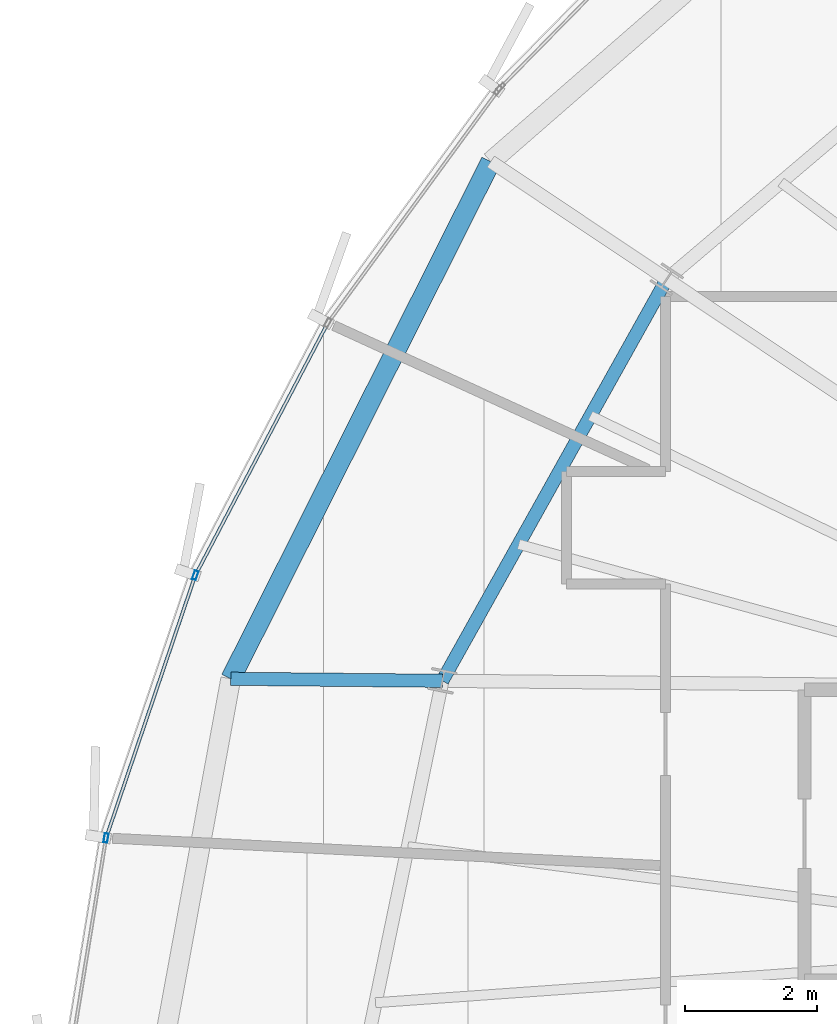
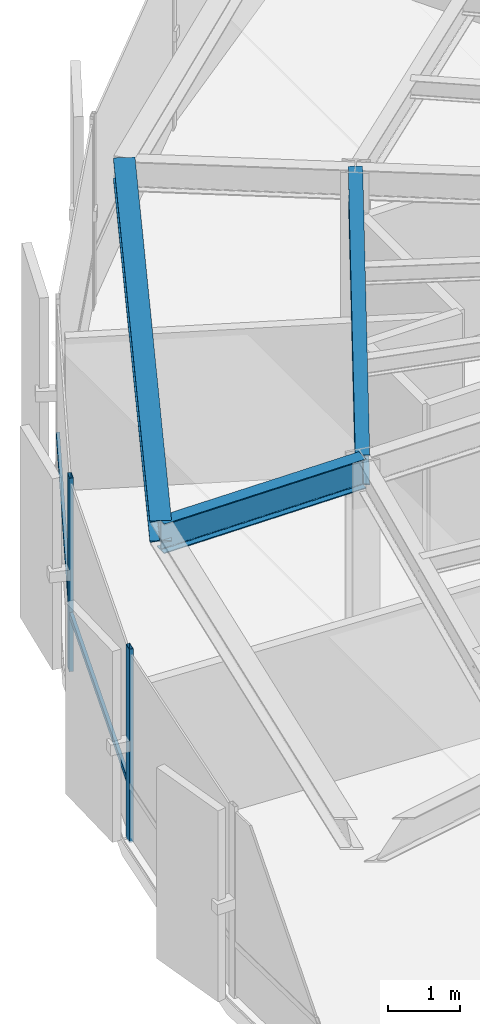
# One storey, part 12 of 37: 4 members, 3 beams, 1 element without a shape of its own.
"""IFC4 building model written with IfcOpenShell, lengths in metres."""

from ifc_helpers import new_model, si_unit, direction, frame, origin, origin_2d, place, context, subcontext, project, spatial, hollow_rectangle, i_section, extrude, source, transform, mapped, material, layer, layer_set, material_profile, profile_set, type_object, element, aggregate, save


model = new_model("IFC4")

# Units and contexts
model_context = context("Model", 3, precision=1e-05, world=origin(), true_north=direction((0.0, 1.0)))
body_context = subcontext(model_context, "Body", "Model", "MODEL_VIEW")
ifc_project = project(units=[si_unit("LENGTHUNIT", "METRE"), si_unit("AREAUNIT", "SQUARE_METRE"), si_unit("VOLUMEUNIT", "CUBIC_METRE"), si_unit("PLANEANGLEUNIT", "RADIAN"), si_unit("MASSUNIT", "GRAM", prefix="KILO"), si_unit("THERMODYNAMICTEMPERATUREUNIT", "KELVIN")], contexts=[model_context])

# Site, building, storey
site_placement = place(None, origin())
site = spatial("IfcSite", under=ifc_project, at=site_placement, CompositionType="ELEMENT")
building_placement = place(site_placement, origin())
building = spatial("IfcBuilding", under=site, at=building_placement, Name="Kethvar Cultural Tower", CompositionType="ELEMENT")
storey_placement = place(building_placement, frame((0.0, 0.0, 200.89990234375)))
storey = spatial("IfcBuildingStorey", under=building, at=storey_placement, Name="L52", CompositionType="ELEMENT", Elevation=200.89990234375)

# Beams
ifc_material_1 = material(Name="Steel S355J2", Category="steel")
ifc_material_profile_1 = material_profile(ifc_material_1, i_section(OverallWidth=0.199951171875, OverallDepth=0.5, WebThickness=0.01025390625, FlangeThickness=0.01611328125, FilletRadius=0.02099609375, at=origin_2d()), Name="Steel S355J2 — IPE500")
ifc_profile_set_1 = profile_set([ifc_material_profile_1], Name="Steel S355J2 — IPE500")
beam_type_1 = type_object("IfcBeamType", Name="BM-IPE500", PredefinedType="BEAM", material=ifc_profile_set_1)
shared_shape_1 = source(origin(), body_context, "Body", "SweptSolid", [
    extrude(i_section(OverallWidth=0.199951171875, OverallDepth=0.5, WebThickness=0.01025390625, FlangeThickness=0.01611328125, FilletRadius=0.02099609375, at=origin_2d()), origin(), (0.0, 0.0, 1.0), 3.2001953125),
])
beam_1_placement = place(storey_placement, frame((29.02490234375, 31.335693359375, 3.008056640625), z_axis=(-0.999954526979, 0.009536455014, 0.0), x_axis=(-0.009536455014, -0.999954526979, 0.0)))
element("IfcBeam", 1, at=beam_1_placement, inside=storey, type_object=beam_type_1, Name="L52 Perimeter Cantilever Beam RC-08", PredefinedType="BEAM", context=body_context, shape_type="MappedRepresentation", body=[
    mapped(shared_shape_1, transform((0.0, 0.0, 0.0), scale=1.0)),
])
shared_shape_2 = source(origin(), body_context, "Body", "SweptSolid", [
    extrude(i_section(OverallWidth=0.199951171875, OverallDepth=0.5, WebThickness=0.01025390625, FlangeThickness=0.01611328125, FilletRadius=0.02099609375, at=origin_2d()), origin(), (0.0, 0.0, 1.0), 6.957275390625),
])
beam_2_placement = place(storey_placement, frame((32.418212890625, 37.409423828125, 3.008056640625), z_axis=(-0.487730122968, -0.872994459976, 0.0), x_axis=(0.872994459976, -0.487730122968, 0.0)))
element("IfcBeam", 2, at=beam_2_placement, inside=storey, type_object=beam_type_1, Name="L52 Column Ring Tie Beam CR-07", PredefinedType="BEAM", context=body_context, shape_type="MappedRepresentation", body=[
    mapped(shared_shape_2, transform((0.0, 0.0, 0.0), scale=1.0)),
])
ifc_material_profile_2 = material_profile(ifc_material_1, i_section(OverallWidth=0.300048828125, OverallDepth=0.360107421875, WebThickness=0.012451171875, FlangeThickness=0.0224609375, FilletRadius=0.027099609375, at=origin_2d()), Name="Steel S355J2 — HEB360")
ifc_profile_set_2 = profile_set([ifc_material_profile_2], Name="Steel S355J2 — HEB360")
beam_type_2 = type_object("IfcBeamType", Name="BM-SP360", PredefinedType="SPANDREL", material=ifc_profile_set_2)
shared_shape_3 = source(origin(), body_context, "Body", "SweptSolid", [
    extrude(i_section(OverallWidth=0.300048828125, OverallDepth=0.360107421875, WebThickness=0.012451171875, FlangeThickness=0.0224609375, FilletRadius=0.027099609375, at=origin_2d()), origin(), (0.0, 0.0, 1.0), 8.754150390625),
])
beam_3_placement = place(storey_placement, frame((29.757568359375, 39.187255859375, 3.078125), z_axis=(-0.449231599727, -0.893415340033, 0.0), x_axis=(0.893415340033, -0.449231599727, 0.0)))
element("IfcBeam", 3, at=beam_3_placement, inside=storey, type_object=beam_type_2, Name="L52 Perimeter Spandrel Beam SP-07", PredefinedType="SPANDREL", context=body_context, shape_type="MappedRepresentation", body=[
    mapped(shared_shape_3, transform((0.0, 0.0, 0.0), scale=1.0)),
])

# Curtain wall, members
ifc_material_2 = material(Name="Aluminium 6063-T6", Category="aluminium")
ifc_layer = layer(ifc_material_2, 0.179931640625, Name="Aluminium 6063-T6", Category="aluminium")
ifc_layer_set = layer_set([ifc_layer], Name="Aluminium 6063-T6 (180 mm)")
curtain_wall_type = type_object("IfcCurtainWallType", Name="CW-SYS-04-Z34", PredefinedType="NOTDEFINED", material=ifc_layer_set)
curtain_wall_placement = place(storey_placement, origin())
curtain_wall = element("IfcCurtainWall", 4, at=curtain_wall_placement, inside=storey, type_object=curtain_wall_type, Name="L52 Curtain Wall Run 03", PredefinedType="NOTDEFINED")
ifc_material_profile_3 = material_profile(ifc_material_2, hollow_rectangle(XDim=0.06005859375, YDim=0.139892578125, WallThickness=0.0048828125, at=origin_2d()), Name="Aluminium 6063-T6 — RHS140x60x5")
ifc_profile_set_3 = profile_set([ifc_material_profile_3], Name="Aluminium 6063-T6 — RHS140x60x5")
member_type_1 = type_object("IfcMemberType", Name="CW-SYS-04-Z34-MUL", PredefinedType="MULLION", material=ifc_profile_set_3)
shared_shape_4 = source(origin(), body_context, "Body", "SweptSolid", [
    extrude(hollow_rectangle(XDim=0.06005859375, YDim=0.139892578125, WallThickness=0.0048828125, at=origin_2d()), origin(), (0.0, 0.0, 1.0), 3.260009765625),
])
member_1_placement = place(storey_placement, frame((25.288818359375, 32.931640625, 0.0), z_axis=(0.0, 0.0, 1.0), x_axis=(0.946969393667, -0.321323773565, 0.0)))
member_1 = element("IfcMember", 5, at=member_1_placement, type_object=member_type_1, Name="CW-L52-R03 Mullion 3", PredefinedType="MULLION", context=body_context, shape_type="MappedRepresentation", body=[
    mapped(shared_shape_4, transform((0.0, 0.0, 0.0), scale=1.0)),
])
member_2_placement = place(storey_placement, frame((23.939208984375, 28.958984375, 0.0), z_axis=(0.0, 0.0, 1.0), x_axis=(0.986979528226, -0.16084592274, 0.0)))
member_2 = element("IfcMember", 6, at=member_2_placement, type_object=member_type_1, Name="CW-L52-R03 Mullion 4", PredefinedType="MULLION", context=body_context, shape_type="MappedRepresentation", body=[
    mapped(shared_shape_4, transform((0.0, 0.0, 0.0), scale=1.0)),
])
ifc_material_profile_4 = material_profile(ifc_material_2, hollow_rectangle(XDim=0.050048828125, YDim=0.10009765625, WallThickness=0.00390625, at=origin_2d()), Name="Aluminium 6063-T6 — RHS100x50x4")
ifc_profile_set_4 = profile_set([ifc_material_profile_4], Name="Aluminium 6063-T6 — RHS100x50x4")
member_type_2 = type_object("IfcMemberType", Name="CW-SYS-04-Z34-TRN", PredefinedType="USERDEFINED", material=ifc_profile_set_4)
shared_shape_5 = source(origin(), body_context, "Body", "SweptSolid", [
    extrude(hollow_rectangle(XDim=0.050048828125, YDim=0.10009765625, WallThickness=0.00390625, at=origin_2d()), origin(), (0.0, 0.0, 1.0), 4.2421875),
])
member_3_placement = place(storey_placement, frame((27.272705078125, 36.710693359375, 0.9501953125), z_axis=(-0.464555282986, -0.88554412033, 0.0), x_axis=(0.88554412033, -0.464555282986, 0.0)))
member_3 = element("IfcMember", 7, at=member_3_placement, type_object=member_type_2, Name="CW-L52-R03 Transom 2", ObjectType="TRANSOM", PredefinedType="USERDEFINED", context=body_context, shape_type="MappedRepresentation", body=[
    mapped(shared_shape_5, transform((0.0, 0.0, 0.0), scale=1.0)),
])
shared_shape_6 = source(origin(), body_context, "Body", "SweptSolid", [
    extrude(hollow_rectangle(XDim=0.050048828125, YDim=0.10009765625, WallThickness=0.00390625, at=origin_2d()), origin(), (0.0, 0.0, 1.0), 4.127197265625),
])
member_4_placement = place(storey_placement, frame((25.27490234375, 32.890625, 0.9501953125), z_axis=(-0.321387282778, -0.946947841472, 0.0), x_axis=(0.946947841472, -0.321387282778, 0.0)))
member_4 = element("IfcMember", 8, at=member_4_placement, type_object=member_type_2, Name="CW-L52-R03 Transom 3", ObjectType="TRANSOM", PredefinedType="USERDEFINED", context=body_context, shape_type="MappedRepresentation", body=[
    mapped(shared_shape_6, transform((0.0, 0.0, 0.0), scale=1.0)),
])
aggregate(curtain_wall, [member_1, member_2, member_3, member_4])

save(model, "model.ifc")
